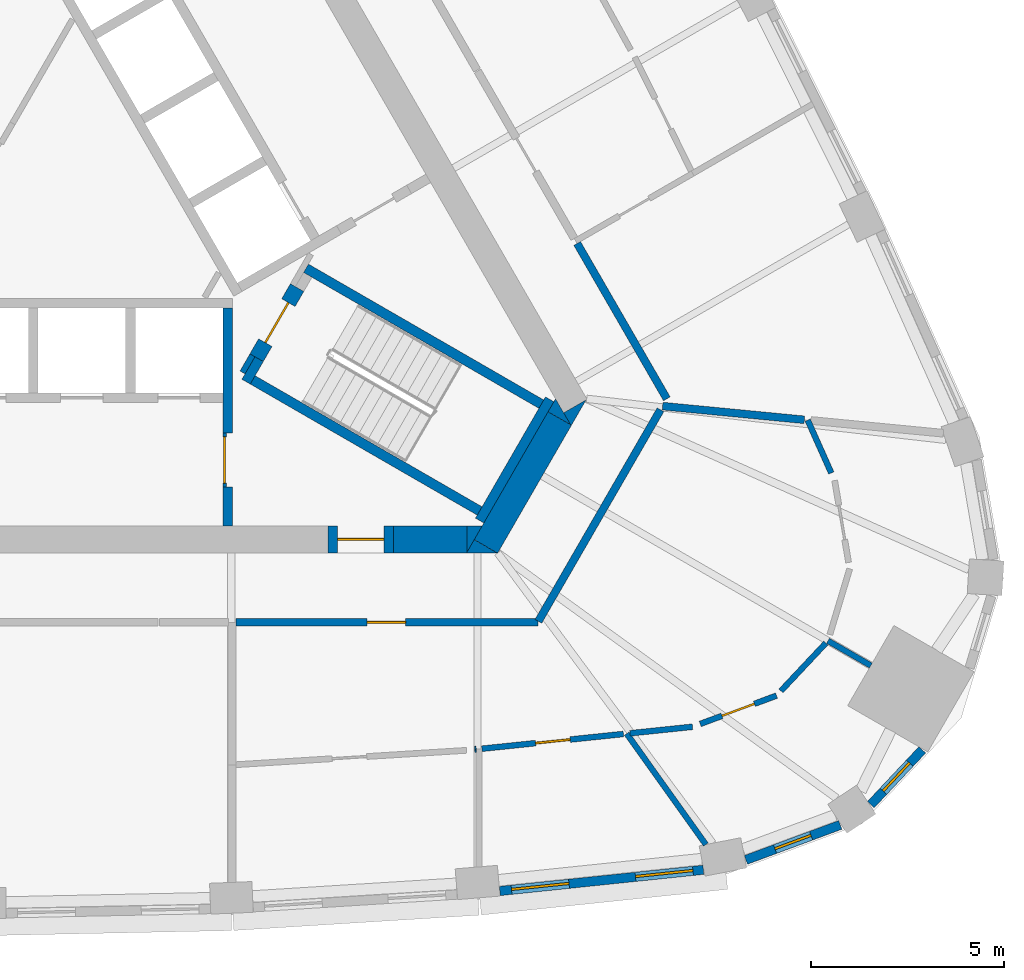
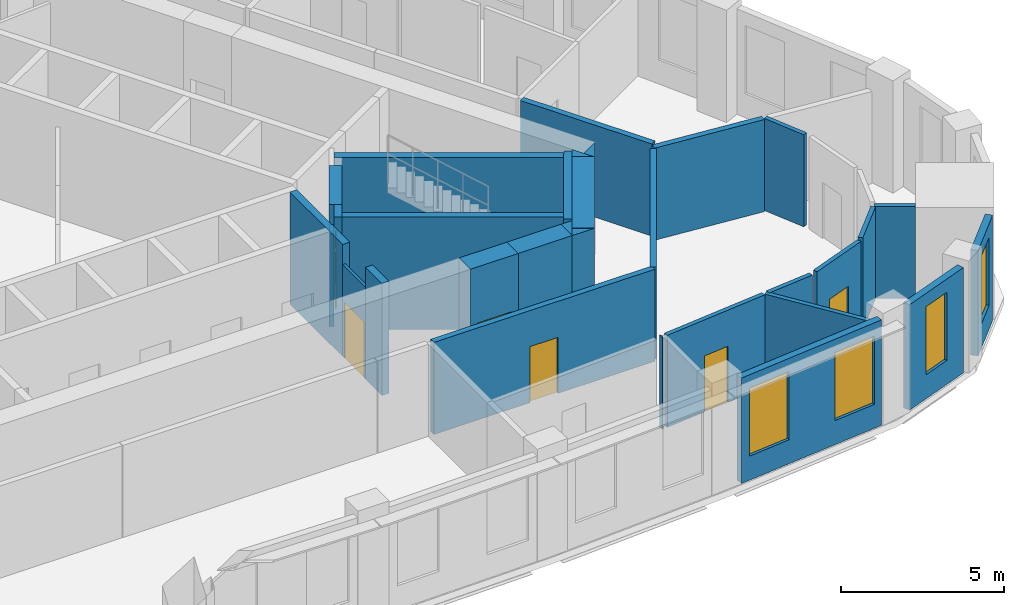
# One storey, part 6 of 10: 31 walls, 6 doors, 4 windows, 10 openings.
"""IFC4 building model written with IfcOpenShell, lengths in metres."""

from ifc_helpers import new_model, si_unit, direction, frame, frame_2d, origin, place, context, subcontext, project, spatial, polyline, rectangle, outline, extrude, material, layer, layer_set, type_object, element, fill, save


model = new_model("IFC4")

# Units and contexts
model_context = context("Model", 3, precision=1e-05, world=origin(), true_north=direction((0.0, 1.0)))
body_context = subcontext(model_context, "Body", "Model", "MODEL_VIEW")
ifc_project = project(units=[si_unit("LENGTHUNIT", "METRE"), si_unit("AREAUNIT", "SQUARE_METRE"), si_unit("VOLUMEUNIT", "CUBIC_METRE"), si_unit("PLANEANGLEUNIT", "RADIAN"), si_unit("MASSUNIT", "GRAM", prefix="KILO")], contexts=[model_context])

# Site, building, storey
site_placement = place(None, origin())
site = spatial("IfcSite", under=ifc_project, at=site_placement, CompositionType="ELEMENT")
building_placement = place(site_placement, origin())
building = spatial("IfcBuilding", under=site, at=building_placement, Name="Mestral Congress Tower", CompositionType="ELEMENT")
storey_placement = place(building_placement, frame((0.0, 0.0, 231.0)))
storey = spatial("IfcBuildingStorey", under=building, at=storey_placement, Name="L54", CompositionType="ELEMENT", Elevation=231.0)

# Wall
ifc_material_1 = material(Name="Fire-rated board partition")
ifc_layer_1 = layer(ifc_material_1, 0.14990234375)
ifc_layer_set_1 = layer_set([ifc_layer_1], Name="Fire-rated board partition")
wall_type_1 = type_object("IfcWallType", Name="Core partition 150", PredefinedType="PARTITIONING", material=ifc_layer_set_1)
wall_1_placement = place(storey_placement, frame((6.94482421875, -5.22216796875, 0.0), z_axis=(0.0, 0.0, 1.0), x_axis=(-0.499818422106, -0.866130212453, 0.0)))
element("IfcWall", 1, at=wall_1_placement, inside=storey, type_object=wall_type_1, Name="L54 core wall", PredefinedType="PARTITIONING", context=body_context, shape_type="SweptSolid", body=[
    extrude(rectangle(XDim=0.513916015625, YDim=0.14990234375, at=frame_2d((0.2568359375, 0.0))), origin(), (0.0, 0.0, 1.0), 3.449951171875),
])

# Wall, opening, door
ifc_layer_2 = layer(ifc_material_1, 0.090087890625)
ifc_layer_set_2 = layer_set([ifc_layer_2], Name="Fire-rated board partition")
wall_type_2 = type_object("IfcWallType", Name="Core partition 150 door-wall 90", PredefinedType="PARTITIONING", material=ifc_layer_set_2)
wall_2_placement = place(storey_placement, frame((6.219970703125, -7.23681640625, 0.0), z_axis=(0.0, 0.0, 1.0), x_axis=(0.0, -1.0, 0.0)))
wall_2 = element("IfcWall", 2, at=wall_2_placement, inside=storey, type_object=wall_type_2, Name="L54 door wall", PredefinedType="PARTITIONING", context=body_context, shape_type="SweptSolid", body=[
    extrude(rectangle(XDim=1.400146484375, YDim=0.090087890625, at=frame_2d((0.7001953125, 0.0))), origin(), (0.0, 0.0, 1.0), 3.449951171875),
])
opening_1_placement = place(wall_2_placement, frame((0.10009765625, 0.0, 0.0)))
opening_1 = element("IfcOpeningElement", 3, at=opening_1_placement, cuts=wall_2, Name="Opening LB0-WL1", PredefinedType="OPENING", context=body_context, shape_type="SweptSolid", body=[
    extrude(rectangle(XDim=1.199951171875, YDim=2.10009765625, at=frame_2d((0.60009765625, 1.050048828125))), frame((0.0, 0.054931640625, 0.0), z_axis=(0.0, -1.0, 0.0), x_axis=(1.0, 0.0, 0.0)), (0.0, 0.0, 1.0), 0.110107421875),
])
ifc_material_2 = material(Name="Fire-rated steel door set", Category="steel")
door_type_1 = type_object("IfcDoorType", Name="Core door LB 1200x2100", OperationType="SINGLE_SWING_LEFT", PredefinedType="DOOR", material=ifc_material_2)
door_1_placement = place(opening_1_placement, origin())
door_1 = element("IfcDoor", 4, at=door_1_placement, inside=storey, type_object=door_type_1, Name="Door LB0-WL1", OperationType="SINGLE_SWING_LEFT", OverallHeight=2.10009765625, OverallWidth=1.199951171875, PredefinedType="DOOR", context=body_context, shape_type="SweptSolid", body=[
    extrude(rectangle(XDim=1.199951171875, YDim=2.10009765625, at=frame_2d((0.60009765625, 1.050048828125))), frame((0.0, 0.02490234375, 0.0), z_axis=(0.0, -1.0, 0.0), x_axis=(1.0, 0.0, 0.0)), (0.0, 0.0, 1.0), 0.050048828125),
])
fill(opening_1, door_1)

# Walls
ifc_material_3 = material(Name="Concrete C60/75", Category="concrete")
ifc_layer_3 = layer(ifc_material_3, 0.699951171875)
ifc_layer_set_3 = layer_set([ifc_layer_3], Name="Concrete C60/75")
wall_type_3 = type_object("IfcWallType", Name="Core wall RC 700", PredefinedType="SOLIDWALL", material=ifc_layer_set_3)
placement = place(storey_placement, origin())
element("IfcWall", 5, at=placement, inside=storey, type_object=wall_type_3, Name="L54 core wall", PredefinedType="SOLIDWALL", context=body_context, shape_type="SweptSolid", body=[
    extrude(outline(polyline([(15.213134765625, -7.050048828125), (15.019287109375, -6.714111328125), (15.60107421875, -6.3779296875), (15.213134765625, -7.050048828125)])), origin(), (0.0, 0.0, 1.0), 4.199951171875),
])
wall_4_placement = place(storey_placement, frame((13.002685546875, -10.1787109375, 0.0), z_axis=(0.0, 0.0, 1.0), x_axis=(0.499972675833, 0.866041178825, 0.0)))
element("IfcWall", 6, at=wall_4_placement, inside=storey, type_object=wall_type_3, Name="L54 core wall", PredefinedType="SOLIDWALL", context=body_context, shape_type="SweptSolid", body=[
    extrude(rectangle(XDim=3.828857421875, YDim=0.699951171875, at=frame_2d((1.91455078125, 0.0))), origin(), (0.0, 0.0, 1.0), 4.199951171875),
])
element("IfcWall", 7, at=placement, inside=storey, type_object=wall_type_3, Name="L54 core wall", PredefinedType="SOLIDWALL", context=body_context, shape_type="SweptSolid", body=[
    extrude(outline(polyline([(12.49951171875, -10.35009765625), (12.698486328125, -10.00537109375), (13.295654296875, -10.35009765625), (12.49951171875, -10.35009765625)])), origin(), (0.0, 0.0, 1.0), 4.199951171875),
])
element("IfcWall", 8, at=placement, inside=storey, type_object=wall_type_3, Name="L54 core wall", PredefinedType="SOLIDWALL", context=body_context, shape_type="SweptSolid", body=[
    extrude(outline(polyline([(14.80908203125, -6.35009765625), (15.197265625, -7.022216796875), (14.614990234375, -6.68603515625), (14.80908203125, -6.35009765625)])), origin(), (0.0, 0.0, 1.0), 4.199951171875),
])
wall_7_placement = place(storey_placement, frame((10.6044921875, -10.0, 0.0), z_axis=(0.0, 0.0, 1.0), x_axis=(1.0, 0.0, 0.0)))
element("IfcWall", 9, at=wall_7_placement, inside=storey, type_object=wall_type_3, Name="L54 core wall", PredefinedType="SOLIDWALL", context=body_context, shape_type="SweptSolid", body=[
    extrude(rectangle(XDim=1.909423828125, YDim=0.699951171875, at=frame_2d((0.95458984375, 0.0))), origin(), (0.0, 0.0, 1.0), 4.199951171875),
])
element("IfcWall", 10, at=placement, inside=storey, type_object=wall_type_3, Name="L54 core wall", PredefinedType="SOLIDWALL", context=body_context, shape_type="SweptSolid", body=[
    extrude(outline(polyline([(12.90380859375, -9.64990234375), (12.515869140625, -10.322021484375), (12.515869140625, -9.64990234375), (12.90380859375, -9.64990234375)])), origin(), (0.0, 0.0, 1.0), 4.199951171875),
])

# Wall, opening, door
wall_9_placement = place(storey_placement, frame((10.6044921875, -10.0, 0.0), z_axis=(0.0, 0.0, 1.0), x_axis=(-1.0, 0.0, 0.0)))
wall_9 = element("IfcWall", 11, at=wall_9_placement, inside=storey, type_object=wall_type_3, Name="L54 door wall", PredefinedType="SOLIDWALL", context=body_context, shape_type="SweptSolid", body=[
    extrude(rectangle(XDim=1.699951171875, YDim=0.699951171875, at=frame_2d((0.85009765625, 0.0))), origin(), (0.0, 0.0, 1.0), 4.199951171875),
])
opening_2_placement = place(wall_9_placement, frame((0.25, 0.0, 0.0)))
opening_2 = element("IfcOpeningElement", 12, at=opening_2_placement, cuts=wall_9, Name="Opening XD1", PredefinedType="OPENING", context=body_context, shape_type="SweptSolid", body=[
    extrude(rectangle(XDim=1.199951171875, YDim=2.10009765625, at=frame_2d((0.60009765625, 1.050048828125))), frame((0.0, 0.35986328125, 0.0), z_axis=(0.0, -1.0, 0.0), x_axis=(1.0, 0.0, 0.0)), (0.0, 0.0, 1.0), 0.719970703125),
])
door_type_2 = type_object("IfcDoorType", Name="Core door XD 1200x2100", OperationType="SINGLE_SWING_LEFT", PredefinedType="DOOR", material=ifc_material_2)
door_2_placement = place(opening_2_placement, origin())
door_2 = element("IfcDoor", 13, at=door_2_placement, inside=storey, type_object=door_type_2, Name="Door XD1", OperationType="SINGLE_SWING_LEFT", OverallHeight=2.10009765625, OverallWidth=1.199951171875, PredefinedType="DOOR", context=body_context, shape_type="SweptSolid", body=[
    extrude(rectangle(XDim=1.199951171875, YDim=2.10009765625, at=frame_2d((0.60009765625, 1.050048828125))), frame((0.0, 0.02490234375, 0.0), z_axis=(0.0, -1.0, 0.0), x_axis=(1.0, 0.0, 0.0)), (0.0, 0.0, 1.0), 0.050048828125),
])
fill(opening_2, door_2)

# Wall, openings, windows
ifc_material_4 = material(Name="Precast concrete C40/50 with limestone facing", Category="masonry")
ifc_layer_4 = layer(ifc_material_4, 0.239990234375)
ifc_layer_set_4 = layer_set([ifc_layer_4], Name="Precast concrete C40/50 with limestone facing")
wall_type_4 = type_object("IfcWallType", Name="Facade stone wall 240", PredefinedType="SOLIDWALL", material=ifc_layer_set_4)
wall_10_placement = place(storey_placement, frame((13.362060546875, -19.12109375, 0.0), z_axis=(0.0, 0.0, 1.0), x_axis=(0.994621961215, 0.103571976272, 0.0)))
wall_10 = element("IfcWall", 14, at=wall_10_placement, inside=storey, type_object=wall_type_4, Name="Facade wall F0-05", PredefinedType="SOLIDWALL", context=body_context, shape_type="SweptSolid", body=[
    extrude(rectangle(XDim=5.310791015625, YDim=0.239990234375, at=frame_2d((2.6552734375, 0.0))), origin(), (0.0, 0.0, 1.0), 3.949951171875),
])
opening_3_placement = place(wall_10_placement, frame((0.306396484375, 0.0, 0.89990234375)))
opening_3 = element("IfcOpeningElement", 15, at=opening_3_placement, cuts=wall_10, Name="Opening W4", PredefinedType="OPENING", context=body_context, shape_type="SweptSolid", body=[
    extrude(rectangle(XDim=1.5, YDim=2.550048828125, at=frame_2d((0.75, 1.27490234375))), frame((0.0, 0.1298828125, 0.0), z_axis=(0.0, -1.0, 0.0), x_axis=(1.0, 0.0, 0.0)), (0.0, 0.0, 1.0), 0.260009765625),
])
opening_4_placement = place(wall_10_placement, frame((3.539306640625, 0.0, 0.89990234375)))
opening_4 = element("IfcOpeningElement", 16, at=opening_4_placement, cuts=wall_10, Name="Opening W4", PredefinedType="OPENING", context=body_context, shape_type="SweptSolid", body=[
    extrude(rectangle(XDim=1.5, YDim=2.550048828125, at=frame_2d((0.75, 1.27490234375))), frame((0.0, 0.1298828125, 0.0), z_axis=(0.0, -1.0, 0.0), x_axis=(1.0, 0.0, 0.0)), (0.0, 0.0, 1.0), 0.260009765625),
])
ifc_material_5 = material(Name="Clear low-emissivity double glazing", Category="glass")
window_type_1 = type_object("IfcWindowType", Name="Facade punched window 1500 x 2550 sill 900", PartitioningType="SINGLE_PANEL", PredefinedType="WINDOW", material=ifc_material_5)
window_1_placement = place(opening_3_placement, origin())
window_1 = element("IfcWindow", 17, at=window_1_placement, inside=storey, type_object=window_type_1, Name="Window F0-05a", OverallHeight=2.550048828125, OverallWidth=1.5, PartitioningType="SINGLE_PANEL", PredefinedType="WINDOW", context=body_context, shape_type="SweptSolid", body=[
    extrude(rectangle(XDim=1.5, YDim=2.550048828125, at=frame_2d((0.75, 1.27490234375))), frame((0.0, 0.0400390625, 0.0), z_axis=(0.0, -1.0, 0.0), x_axis=(1.0, 0.0, 0.0)), (0.0, 0.0, 1.0), 0.06005859375),
])
fill(opening_3, window_1)
window_2_placement = place(opening_4_placement, origin())
window_2 = element("IfcWindow", 18, at=window_2_placement, inside=storey, type_object=window_type_1, Name="Window F0-05b", OverallHeight=2.550048828125, OverallWidth=1.5, PartitioningType="SINGLE_PANEL", PredefinedType="WINDOW", context=body_context, shape_type="SweptSolid", body=[
    extrude(rectangle(XDim=1.5, YDim=2.550048828125, at=frame_2d((0.75, 1.27490234375))), frame((0.0, 0.0400390625, 0.0), z_axis=(0.0, -1.0, 0.0), x_axis=(1.0, 0.0, 0.0)), (0.0, 0.0, 1.0), 0.06005859375),
])
fill(opening_4, window_2)

# Wall, opening, window
wall_11_placement = place(storey_placement, frame((19.747802734375, -18.31396484375, 0.0), z_axis=(0.0, 0.0, 1.0), x_axis=(0.937569171184, 0.347798863203, 0.0)))
wall_11 = element("IfcWall", 19, at=wall_11_placement, inside=storey, type_object=wall_type_4, Name="Facade wall K0-0", PredefinedType="SOLIDWALL", context=body_context, shape_type="SweptSolid", body=[
    extrude(rectangle(XDim=2.609130859375, YDim=0.239990234375, at=frame_2d((1.3046875, 0.0))), origin(), (0.0, 0.0, 1.0), 3.949951171875),
])
opening_5_placement = place(wall_11_placement, frame((0.8046875, 0.0, 0.89990234375)))
opening_5 = element("IfcOpeningElement", 20, at=opening_5_placement, cuts=wall_11, Name="Opening W5", PredefinedType="OPENING", context=body_context, shape_type="SweptSolid", body=[
    extrude(rectangle(XDim=1.0, YDim=2.550048828125, at=frame_2d((0.5, 1.27490234375))), frame((0.0, 0.1298828125, 0.0), z_axis=(0.0, -1.0, 0.0), x_axis=(1.0, 0.0, 0.0)), (0.0, 0.0, 1.0), 0.260009765625),
])
window_type_2 = type_object("IfcWindowType", Name="Facade punched window 1000 x 2550 sill 900", PartitioningType="SINGLE_PANEL", PredefinedType="WINDOW", material=ifc_material_5)
window_3_placement = place(opening_5_placement, origin())
window_3 = element("IfcWindow", 21, at=window_3_placement, inside=storey, type_object=window_type_2, Name="Window K0-0", OverallHeight=2.550048828125, OverallWidth=1.0, PartitioningType="SINGLE_PANEL", PredefinedType="WINDOW", context=body_context, shape_type="SweptSolid", body=[
    extrude(rectangle(XDim=1.0, YDim=2.550048828125, at=frame_2d((0.5, 1.27490234375))), frame((0.0, 0.0400390625, 0.0), z_axis=(0.0, -1.0, 0.0), x_axis=(1.0, 0.0, 0.0)), (0.0, 0.0, 1.0), 0.06005859375),
])
fill(opening_5, window_3)

wall_12_placement = place(storey_placement, frame((22.989013671875, -16.87890625, 0.0), z_axis=(0.0, 0.0, 1.0), x_axis=(0.684770274166, 0.728758994194, 0.0)))
wall_12 = element("IfcWall", 22, at=wall_12_placement, inside=storey, type_object=wall_type_4, Name="Facade wall K0-1", PredefinedType="SOLIDWALL", context=body_context, shape_type="SweptSolid", body=[
    extrude(rectangle(XDim=1.947998046875, YDim=0.239990234375, at=frame_2d((0.97412109375, 0.0))), origin(), (0.0, 0.0, 1.0), 3.949951171875),
])
opening_6_placement = place(wall_12_placement, frame((0.47412109375, 0.0, 0.89990234375)))
opening_6 = element("IfcOpeningElement", 23, at=opening_6_placement, cuts=wall_12, Name="Opening W5", PredefinedType="OPENING", context=body_context, shape_type="SweptSolid", body=[
    extrude(rectangle(XDim=1.0, YDim=2.550048828125, at=frame_2d((0.5, 1.27490234375))), frame((0.0, 0.1298828125, 0.0), z_axis=(0.0, -1.0, 0.0), x_axis=(1.0, 0.0, 0.0)), (0.0, 0.0, 1.0), 0.260009765625),
])
window_4_placement = place(opening_6_placement, origin())
window_4 = element("IfcWindow", 24, at=window_4_placement, inside=storey, type_object=window_type_2, Name="Window K0-1", OverallHeight=2.550048828125, OverallWidth=1.0, PartitioningType="SINGLE_PANEL", PredefinedType="WINDOW", context=body_context, shape_type="SweptSolid", body=[
    extrude(rectangle(XDim=1.0, YDim=2.550048828125, at=frame_2d((0.5, 1.27490234375))), frame((0.0, 0.0400390625, 0.0), z_axis=(0.0, -1.0, 0.0), x_axis=(1.0, 0.0, 0.0)), (0.0, 0.0, 1.0), 0.06005859375),
])
fill(opening_6, window_4)

# Walls
ifc_material_6 = material(Name="Plasterboard partition on steel studs", Category="steel")
ifc_layer_5 = layer(ifc_material_6, 0.14990234375)
ifc_layer_set_5 = layer_set([ifc_layer_5], Name="Plasterboard partition on steel studs")
wall_type_5 = type_object("IfcWallType", Name="Office partition 150", PredefinedType="PARTITIONING", material=ifc_layer_set_5)
wall_13_placement = place(storey_placement, frame((12.713134765625, -15.448486328125, 0.0), z_axis=(0.0, 0.0, 1.0), x_axis=(0.995106821048, 0.098804932586, 0.0)))
element("IfcWall", 25, at=wall_13_placement, inside=storey, type_object=wall_type_5, Name="Partition", PredefinedType="PARTITIONING", context=body_context, shape_type="SweptSolid", body=[
    extrude(rectangle(XDim=0.03466796875, YDim=0.14990234375, at=frame_2d((0.017333984375, 0.0))), origin(), (0.0, 0.0, 1.0), 3.449951171875),
])
wall_14_placement = place(storey_placement, frame((16.65478515625, -15.0380859375, 0.0), z_axis=(0.0, 0.0, 1.0), x_axis=(0.580996489012, -0.813906063226, 0.0)))
element("IfcWall", 26, at=wall_14_placement, inside=storey, type_object=wall_type_5, Name="Partition", PredefinedType="PARTITIONING", context=body_context, shape_type="SweptSolid", body=[
    extrude(rectangle(XDim=3.53564453125, YDim=0.14990234375, at=frame_2d((1.767822265625, 0.0))), origin(), (0.0, 0.0, 1.0), 3.449951171875),
])

# Wall, opening, door
wall_15_placement = place(storey_placement, frame((16.569091796875, -15.047119140625, 0.0), z_axis=(0.0, 0.0, 1.0), x_axis=(-0.994621532294, -0.103576095197, 0.0)))
wall_15 = element("IfcWall", 27, at=wall_15_placement, inside=storey, type_object=wall_type_5, Name="Partition", PredefinedType="PARTITIONING", context=body_context, shape_type="SweptSolid", body=[
    extrude(rectangle(XDim=3.691162109375, YDim=0.14990234375, at=frame_2d((1.845703125, 0.0))), origin(), (0.0, 0.0, 1.0), 3.449951171875),
])
opening_7_placement = place(wall_15_placement, frame((1.39111328125, 0.0, 0.0)))
opening_7 = element("IfcOpeningElement", 28, at=opening_7_placement, cuts=wall_15, Name="Opening O08-008", PredefinedType="OPENING", context=body_context, shape_type="SweptSolid", body=[
    extrude(rectangle(XDim=0.89990234375, YDim=2.10009765625, at=frame_2d((0.449951171875, 1.050048828125))), frame((0.0, 0.0849609375, 0.0), z_axis=(0.0, -1.0, 0.0), x_axis=(1.0, 0.0, 0.0)), (0.0, 0.0, 1.0), 0.169921875),
])
ifc_material_7 = material(Name="Timber door set", Category="wood")
door_type_3 = type_object("IfcDoorType", Name="Office door 900x2100", OperationType="SINGLE_SWING_LEFT", PredefinedType="DOOR", material=ifc_material_7)
door_3_placement = place(opening_7_placement, origin())
door_3 = element("IfcDoor", 29, at=door_3_placement, inside=storey, type_object=door_type_3, Name="Door O08-008", OperationType="SINGLE_SWING_LEFT", OverallHeight=2.10009765625, OverallWidth=0.89990234375, PredefinedType="DOOR", context=body_context, shape_type="SweptSolid", body=[
    extrude(rectangle(XDim=0.89990234375, YDim=2.10009765625, at=frame_2d((0.449951171875, 1.050048828125))), frame((0.0, 0.02490234375, 0.0), z_axis=(0.0, -1.0, 0.0), x_axis=(1.0, 0.0, 0.0)), (0.0, 0.0, 1.0), 0.050048828125),
])
fill(opening_7, door_3)

# Walls
wall_16_placement = place(storey_placement, frame((21.876708984375, -12.63037109375, 0.0), z_axis=(0.0, 0.0, 1.0), x_axis=(0.86599869919, -0.500046250861, 0.0)))
element("IfcWall", 30, at=wall_16_placement, inside=storey, type_object=wall_type_5, Name="Partition", PredefinedType="PARTITIONING", context=body_context, shape_type="SweptSolid", body=[
    extrude(rectangle(XDim=1.28369140625, YDim=0.14990234375, at=frame_2d((0.641845703125, 0.0))), origin(), (0.0, 0.0, 1.0), 3.449951171875),
])
wall_17_placement = place(storey_placement, frame((16.740478515625, -15.029296875, 0.0), z_axis=(0.0, 0.0, 1.0), x_axis=(0.994614871477, 0.103640037805, 0.0)))
element("IfcWall", 31, at=wall_17_placement, inside=storey, type_object=wall_type_5, Name="Partition", PredefinedType="PARTITIONING", context=body_context, shape_type="SweptSolid", body=[
    extrude(rectangle(XDim=1.630126953125, YDim=0.14990234375, at=frame_2d((0.81494140625, 0.0))), origin(), (0.0, 0.0, 1.0), 3.449951171875),
])

# Wall, opening, door
wall_18_placement = place(storey_placement, frame((20.540771484375, -14.05224609375, 0.0), z_axis=(0.0, 0.0, 1.0), x_axis=(-0.937602119917, -0.347710029662, 0.0)))
wall_18 = element("IfcWall", 32, at=wall_18_placement, inside=storey, type_object=wall_type_5, Name="Partition", PredefinedType="PARTITIONING", context=body_context, shape_type="SweptSolid", body=[
    extrude(rectangle(XDim=2.10986328125, YDim=0.14990234375, at=frame_2d((1.054931640625, 0.0))), origin(), (0.0, 0.0, 1.0), 3.449951171875),
])
opening_8_placement = place(wall_18_placement, frame((0.609619140625, 0.0, 0.0)))
opening_8 = element("IfcOpeningElement", 33, at=opening_8_placement, cuts=wall_18, Name="Opening O08-009", PredefinedType="OPENING", context=body_context, shape_type="SweptSolid", body=[
    extrude(rectangle(XDim=0.89990234375, YDim=2.10009765625, at=frame_2d((0.449951171875, 1.050048828125))), frame((0.0, 0.0849609375, 0.0), z_axis=(0.0, -1.0, 0.0), x_axis=(1.0, 0.0, 0.0)), (0.0, 0.0, 1.0), 0.169921875),
])
door_4_placement = place(opening_8_placement, origin())
door_4 = element("IfcDoor", 34, at=door_4_placement, inside=storey, type_object=door_type_3, Name="Door O08-009", OperationType="SINGLE_SWING_RIGHT", OverallHeight=2.10009765625, OverallWidth=0.89990234375, PredefinedType="DOOR", context=body_context, shape_type="SweptSolid", body=[
    extrude(rectangle(XDim=0.89990234375, YDim=2.10009765625, at=frame_2d((0.449951171875, 1.050048828125))), frame((0.0, 0.02490234375, 0.0), z_axis=(0.0, -1.0, 0.0), x_axis=(1.0, 0.0, 0.0)), (0.0, 0.0, 1.0), 0.050048828125),
])
fill(opening_8, door_4)

# Walls
wall_19_placement = place(storey_placement, frame((20.656005859375, -13.929443359375, 0.0), z_axis=(0.0, 0.0, 1.0), x_axis=(0.684716940988, 0.728809104447, 0.0)))
element("IfcWall", 35, at=wall_19_placement, inside=storey, type_object=wall_type_5, Name="Partition", PredefinedType="PARTITIONING", context=body_context, shape_type="SweptSolid", body=[
    extrude(rectangle(XDim=1.705322265625, YDim=0.14990234375, at=frame_2d((0.8525390625, 0.0))), origin(), (0.0, 0.0, 1.0), 3.449951171875),
])
wall_20_placement = place(storey_placement, frame((21.962890625, -8.27587890625, 0.0), z_axis=(0.0, 0.0, 1.0), x_axis=(-0.407510458183, 0.913200540118, 0.0)))
element("IfcWall", 36, at=wall_20_placement, inside=storey, type_object=wall_type_5, Name="Partition", PredefinedType="PARTITIONING", context=body_context, shape_type="SweptSolid", body=[
    extrude(rectangle(XDim=1.501953125, YDim=0.14990234375, at=frame_2d((0.7509765625, 0.0))), origin(), (0.0, 0.0, 1.0), 3.449951171875),
])
ifc_material_8 = material(Name="Dense masonry wall, plastered", Category="masonry")
ifc_layer_6 = layer(ifc_material_8, 0.199951171875)
ifc_layer_set_6 = layer_set([ifc_layer_6], Name="Dense masonry wall, plastered")
wall_type_6 = type_object("IfcWallType", Name="Office tenancy wall 200", PredefinedType="PARTITIONING", material=ifc_layer_set_6)
wall_21_placement = place(storey_placement, frame((17.5859375, -6.540283203125, 0.0), z_axis=(0.0, 0.0, 1.0), x_axis=(0.995358181524, -0.096239755158, 0.0)))
element("IfcWall", 37, at=wall_21_placement, inside=storey, type_object=wall_type_6, Name="Tenancy wall", PredefinedType="PARTITIONING", context=body_context, shape_type="SweptSolid", body=[
    extrude(rectangle(XDim=3.696044921875, YDim=0.199951171875, at=frame_2d((1.84814453125, 0.0))), origin(), (0.0, 0.0, 1.0), 3.449951171875),
])

# Wall, opening, door
wall_22_placement = place(storey_placement, frame((6.516845703125, -12.14990234375, 0.0), z_axis=(0.0, 0.0, 1.0), x_axis=(1.0, 0.0, 0.0)))
wall_22 = element("IfcWall", 38, at=wall_22_placement, inside=storey, type_object=wall_type_6, Name="Tenancy wall", PredefinedType="PARTITIONING", context=body_context, shape_type="SweptSolid", body=[
    extrude(rectangle(XDim=7.830322265625, YDim=0.199951171875, at=frame_2d((3.9150390625, 0.0))), origin(), (0.0, 0.0, 1.0), 3.449951171875),
])
opening_9_placement = place(wall_22_placement, frame((3.39990234375, 0.0, 0.0)))
opening_9 = element("IfcOpeningElement", 39, at=opening_9_placement, cuts=wall_22, Name="Opening O08-011", PredefinedType="OPENING", context=body_context, shape_type="SweptSolid", body=[
    extrude(rectangle(XDim=1.0, YDim=2.10009765625, at=frame_2d((0.5, 1.050048828125))), frame((0.0, 0.10986328125, 0.0), z_axis=(0.0, -1.0, 0.0), x_axis=(1.0, 0.0, 0.0)), (0.0, 0.0, 1.0), 0.219970703125),
])
ifc_material_9 = material(Name="Fire-rated timber door set", Category="wood")
door_type_4 = type_object("IfcDoorType", Name="Office tenancy entrance door 1000x2100", OperationType="SINGLE_SWING_LEFT", PredefinedType="DOOR", material=ifc_material_9)
door_5_placement = place(opening_9_placement, origin())
door_5 = element("IfcDoor", 40, at=door_5_placement, inside=storey, type_object=door_type_4, Name="Door O08-011", OperationType="SINGLE_SWING_LEFT", OverallHeight=2.10009765625, OverallWidth=1.0, PredefinedType="DOOR", context=body_context, shape_type="SweptSolid", body=[
    extrude(rectangle(XDim=1.0, YDim=2.10009765625, at=frame_2d((0.5, 1.050048828125))), frame((0.0, 0.02490234375, 0.0), z_axis=(0.0, -1.0, 0.0), x_axis=(1.0, 0.0, 0.0)), (0.0, 0.0, 1.0), 0.050048828125),
])
fill(opening_9, door_5)

# Walls
wall_23_placement = place(storey_placement, frame((14.362060546875, -12.1240234375, 0.0), z_axis=(0.0, 0.0, 1.0), x_axis=(0.500017005442, 0.866015585465, 0.0)))
element("IfcWall", 41, at=wall_23_placement, inside=storey, type_object=wall_type_6, Name="Tenancy wall", PredefinedType="PARTITIONING", context=body_context, shape_type="SweptSolid", body=[
    extrude(rectangle(XDim=6.337646484375, YDim=0.199951171875, at=frame_2d((3.1689453125, 0.0))), origin(), (0.0, 0.0, 1.0), 3.449951171875),
])
wall_24_placement = place(storey_placement, frame((17.69580078125, -6.35009765625, 0.0), z_axis=(0.0, 0.0, 1.0), x_axis=(-0.499976825411, 0.866038783226, 0.0)))
element("IfcWall", 42, at=wall_24_placement, inside=storey, type_object=wall_type_6, Name="Tenancy wall", PredefinedType="PARTITIONING", context=body_context, shape_type="SweptSolid", body=[
    extrude(rectangle(XDim=4.652587890625, YDim=0.199951171875, at=frame_2d((2.326171875, 0.0))), origin(), (0.0, 0.0, 1.0), 3.449951171875),
])
ifc_layer_7 = layer(ifc_material_3, 0.25)
ifc_layer_set_7 = layer_set([ifc_layer_7], Name="Concrete C60/75")
wall_type_7 = type_object("IfcWallType", Name="Shaft wall RC 250", PredefinedType="SOLIDWALL", material=ifc_layer_set_7)
wall_25_placement = place(storey_placement, frame((6.300048828125, -7.239990234375, 0.0), z_axis=(0.0, 0.0, 1.0), x_axis=(0.0, 1.0, 0.0)))
element("IfcWall", 43, at=wall_25_placement, inside=storey, type_object=wall_type_7, Name="L54 core wall", PredefinedType="SOLIDWALL", context=body_context, shape_type="SweptSolid", body=[
    extrude(rectangle(XDim=3.239990234375, YDim=0.25, at=frame_2d((1.6201171875, 0.0))), origin(), (0.0, 0.0, 1.0), 4.199951171875),
])
wall_26_placement = place(storey_placement, frame((6.300048828125, -9.64990234375, 0.0), z_axis=(0.0, 0.0, 1.0), x_axis=(0.0, 1.0, 0.0)))
element("IfcWall", 44, at=wall_26_placement, inside=storey, type_object=wall_type_7, Name="L54 core wall", PredefinedType="SOLIDWALL", context=body_context, shape_type="SweptSolid", body=[
    extrude(rectangle(XDim=1.0078125, YDim=0.25, at=frame_2d((0.50390625, 0.0))), origin(), (0.0, 0.0, 1.0), 4.199951171875),
])
ifc_layer_8 = layer(ifc_material_3, 0.25)
ifc_layer_set_8 = layer_set([ifc_layer_8], Name="Concrete C60/75")
wall_type_8 = type_object("IfcWallType", Name="Stair wall RC 250", PredefinedType="SOLIDWALL", material=ifc_layer_set_8)
wall_27_placement = place(storey_placement, frame((12.839599609375, -9.510986328125, 0.0), z_axis=(0.0, 0.0, 1.0), x_axis=(0.500048121057, 0.865997619297, 0.0)))
element("IfcWall", 45, at=wall_27_placement, inside=storey, type_object=wall_type_8, Name="L54 core wall", PredefinedType="SOLIDWALL", context=body_context, shape_type="SweptSolid", body=[
    extrude(rectangle(XDim=3.634033203125, YDim=0.25, at=frame_2d((1.81689453125, 0.0))), origin(), (0.0, 0.0, 1.0), 4.199951171875),
])
wall_28_placement = place(storey_placement, frame((12.83984375, -9.2607421875, 0.0), z_axis=(0.0, 0.0, 1.0), x_axis=(-0.866013990052, 0.500019768644, 0.0)))
element("IfcWall", 46, at=wall_28_placement, inside=storey, type_object=wall_type_8, Name="L54 core wall", PredefinedType="SOLIDWALL", context=body_context, shape_type="SweptSolid", body=[
    extrude(rectangle(XDim=6.800048828125, YDim=0.25, at=frame_2d((3.39990234375, 0.0))), origin(), (0.0, 0.0, 1.0), 4.199951171875),
])
wall_29_placement = place(storey_placement, frame((6.780029296875, -5.906494140625, 0.0), z_axis=(0.0, 0.0, 1.0), x_axis=(0.500223362819, 0.865896406789, 0.0)))
element("IfcWall", 47, at=wall_29_placement, inside=storey, type_object=wall_type_8, Name="L54 core wall", PredefinedType="SOLIDWALL", context=body_context, shape_type="SweptSolid", body=[
    extrude(rectangle(XDim=0.675048828125, YDim=0.25, at=frame_2d((0.33740234375, 0.0))), origin(), (0.0, 0.0, 1.0), 4.199951171875),
])
wall_30_placement = place(storey_placement, frame((8.33447265625, -2.96435546875, 0.0), z_axis=(0.0, 0.0, 1.0), x_axis=(0.866016039709, -0.500016218704, 0.0)))
element("IfcWall", 48, at=wall_30_placement, inside=storey, type_object=wall_type_8, Name="L54 core wall", PredefinedType="SOLIDWALL", context=body_context, shape_type="SweptSolid", body=[
    extrude(rectangle(XDim=7.050048828125, YDim=0.25, at=frame_2d((3.52490234375, 0.0))), origin(), (0.0, 0.0, 1.0), 4.199951171875),
])

# Wall, opening, door
ifc_layer_9 = layer(ifc_material_3, 0.39990234375)
ifc_layer_set_9 = layer_set([ifc_layer_9], Name="Concrete C60/75")
wall_type_9 = type_object("IfcWallType", Name="Stair wall RC 250 door-wall 400", PredefinedType="SOLIDWALL", material=ifc_layer_set_9)
wall_31_placement = place(storey_placement, frame((7.052734375, -5.2841796875, 0.0), z_axis=(0.0, 0.0, 1.0), x_axis=(0.500078061341, 0.865980330357, 0.0)))
wall_31 = element("IfcWall", 49, at=wall_31_placement, inside=storey, type_object=wall_type_9, Name="L54 door wall", PredefinedType="SOLIDWALL", context=body_context, shape_type="SweptSolid", body=[
    extrude(rectangle(XDim=2.099853515625, YDim=0.39990234375, at=frame_2d((1.0498046875, 0.0))), origin(), (0.0, 0.0, 1.0), 4.199951171875),
])
opening_10_placement = place(wall_31_placement, frame((0.449951171875, 0.0, 0.0)))
opening_10 = element("IfcOpeningElement", 50, at=opening_10_placement, cuts=wall_31, Name="Opening ST-D1", PredefinedType="OPENING", context=body_context, shape_type="SweptSolid", body=[
    extrude(rectangle(XDim=1.199951171875, YDim=2.10009765625, at=frame_2d((0.60009765625, 1.050048828125))), frame((0.0, 0.2099609375, 0.0), z_axis=(0.0, -1.0, 0.0), x_axis=(1.0, 0.0, 0.0)), (0.0, 0.0, 1.0), 0.419921875),
])
door_type_5 = type_object("IfcDoorType", Name="Core door ST 1200x2100", OperationType="SINGLE_SWING_LEFT", PredefinedType="DOOR", material=ifc_material_2)
door_6_placement = place(opening_10_placement, origin())
door_6 = element("IfcDoor", 51, at=door_6_placement, inside=storey, type_object=door_type_5, Name="Door ST-D1", OperationType="SINGLE_SWING_LEFT", OverallHeight=2.10009765625, OverallWidth=1.199951171875, PredefinedType="DOOR", context=body_context, shape_type="SweptSolid", body=[
    extrude(rectangle(XDim=1.199951171875, YDim=2.10009765625, at=frame_2d((0.60009765625, 1.050048828125))), frame((0.0, 0.02490234375, 0.0), z_axis=(0.0, -1.0, 0.0), x_axis=(1.0, 0.0, 0.0)), (0.0, 0.0, 1.0), 0.050048828125),
])
fill(opening_10, door_6)

save(model, "model.ifc")
